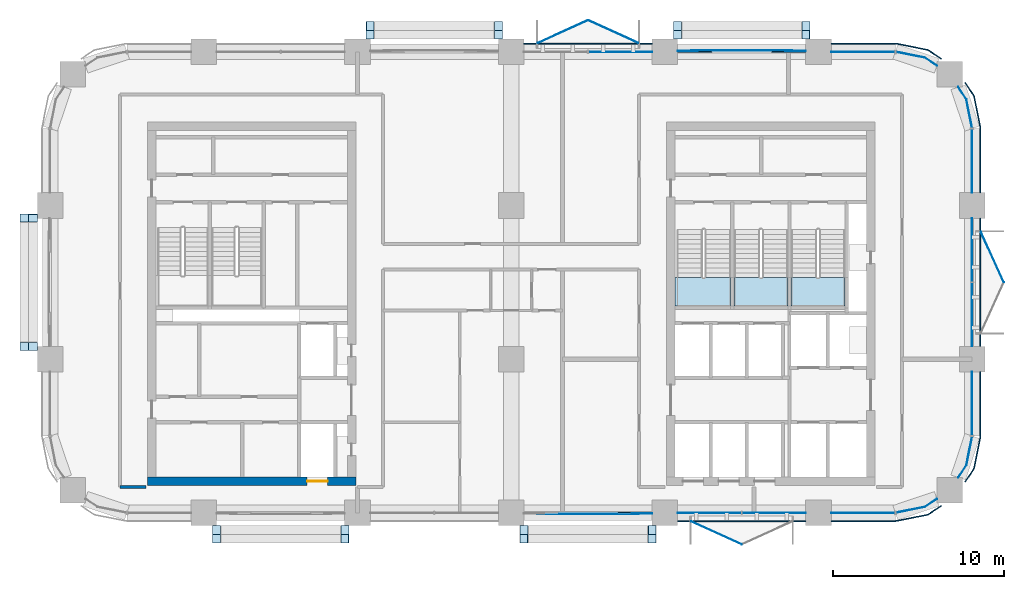
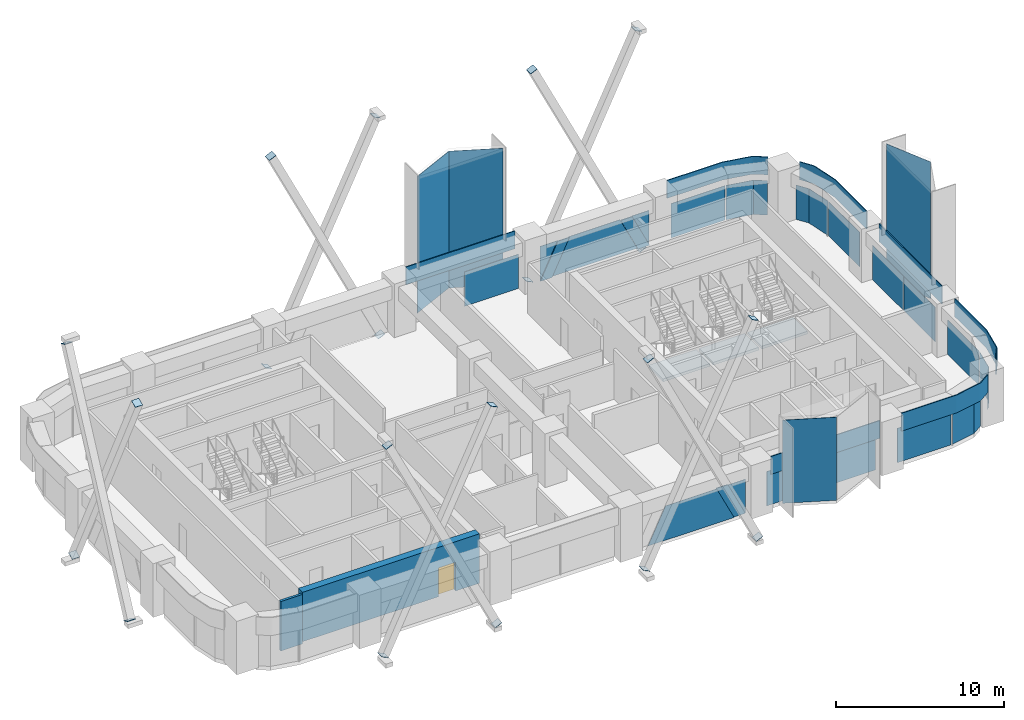
# One storey, part 8 of 14: 52 plates, 3 slabs, 2 walls, 1 door, 1 opening, 12 elements without a shape of their own.
"""IFC4 building model written with IfcOpenShell, lengths in metres."""

from ifc_helpers import new_model, si_unit, direction, frame, frame_2d, origin, origin_2d, place, context, subcontext, project, spatial, polyline, rectangle, outline, extrude, material, layer, layer_set, type_object, element, fill, aggregate, save


model = new_model("IFC4")

# Units and contexts
model_context = context("Model", 3, precision=1e-05, world=origin(), true_north=direction((0.0, 1.0)))
body_context = subcontext(model_context, "Body", "Model", "MODEL_VIEW")
ifc_project = project(units=[si_unit("LENGTHUNIT", "METRE"), si_unit("AREAUNIT", "SQUARE_METRE"), si_unit("VOLUMEUNIT", "CUBIC_METRE"), si_unit("PLANEANGLEUNIT", "RADIAN"), si_unit("MASSUNIT", "GRAM", prefix="KILO")], contexts=[model_context])

# Site, building, storey
site_placement = place(None, origin())
site = spatial("IfcSite", under=ifc_project, at=site_placement, CompositionType="ELEMENT")
building_placement = place(site_placement, origin())
building = spatial("IfcBuilding", under=site, at=building_placement, Name="Tessera Arch", CompositionType="ELEMENT")
storey_placement = place(building_placement, frame((0.0, 0.0, 150.5)))
storey = spatial("IfcBuildingStorey", under=building, at=storey_placement, Name="L35", CompositionType="ELEMENT", Elevation=150.5)

# Curtain wall, plates
ifc_material_1 = material(Name="CW1 curtain wall")
curtain_wall_type_1 = type_object("IfcCurtainWallType", Name="CW1 curtain wall", PredefinedType="NOTDEFINED", material=ifc_material_1)
curtain_wall_1_placement = place(storey_placement, origin())
curtain_wall_1 = element("IfcCurtainWall", 1, at=curtain_wall_1_placement, inside=storey, type_object=curtain_wall_type_1, Name="CW1 curtain wall E54.27/0 L35", PredefinedType="NOTDEFINED")
ifc_material_2 = material(Name="Clear low-e glass", Category="glass")
ifc_material_3 = material(Name="Clear low-e glass", Category="glass")
ifc_layer_1 = layer(ifc_material_3, 0.028076171875)
ifc_layer_set_1 = layer_set([ifc_layer_1], Name="CW1 glass panel")
plate_type_1 = type_object("IfcPlateType", Name="CW1 glass panel", PredefinedType="CURTAIN_PANEL", material=ifc_layer_set_1)
plate_1_placement = place(storey_placement, frame((54.0, 38.610107421875, 0.0), z_axis=(0.0, 0.0, 1.0), x_axis=(0.0, 1.0, 0.0)))
plate_1 = element("IfcPlate", 2, at=plate_1_placement, type_object=plate_type_1, material=ifc_material_2, Name="CW1 glass panel E54.27/0 1.1.1", PredefinedType="CURTAIN_PANEL", context=body_context, shape_type="SweptSolid", body=[
    extrude(rectangle(XDim=3.719970703125, YDim=0.028076171875, at=origin_2d()), origin(), (0.0, 0.0, 1.0), 2.5),
])
plate_2_placement = place(storey_placement, frame((54.0, 42.389892578125, 0.0), z_axis=(0.0, 0.0, 1.0), x_axis=(0.0, 1.0, 0.0)))
plate_2 = element("IfcPlate", 3, at=plate_2_placement, type_object=plate_type_1, material=ifc_material_2, Name="CW1 glass panel E54.27/0 1.2.1", PredefinedType="CURTAIN_PANEL", context=body_context, shape_type="SweptSolid", body=[
    extrude(rectangle(XDim=3.719970703125, YDim=0.028076171875, at=origin_2d()), origin(), (0.0, 0.0, 1.0), 2.5),
])

# Curtain wall, plate
curtain_wall_2_placement = place(storey_placement, origin())
curtain_wall_2 = element("IfcCurtainWall", 4, at=curtain_wall_2_placement, inside=storey, type_object=curtain_wall_type_1, Name="CW1 curtain wall N54.0/2 L35", PredefinedType="NOTDEFINED")
plate_3_placement = place(storey_placement, frame((33.389892578125, 54.0, 0.0), z_axis=(0.0, 0.0, 1.0), x_axis=(-1.0, 0.0, 0.0)))
plate_3 = element("IfcPlate", 5, at=plate_3_placement, type_object=plate_type_1, material=ifc_material_2, Name="CW1 glass panel N54.0/2 1.1.1", PredefinedType="CURTAIN_PANEL", context=body_context, shape_type="SweptSolid", body=[
    extrude(rectangle(XDim=3.719970703125, YDim=0.028076171875, at=origin_2d()), origin(), (0.0, 0.0, 1.0), 2.5),
])

# Curtain wall, plates
curtain_wall_3_placement = place(storey_placement, origin())
curtain_wall_3 = element("IfcCurtainWall", 6, at=curtain_wall_3_placement, inside=storey, type_object=curtain_wall_type_1, Name="CW1 curtain wall S27.0/4 L35", PredefinedType="NOTDEFINED")
plate_4_placement = place(storey_placement, frame((38.610107421875, 27.0, 0.0), z_axis=(0.0, 0.0, 1.0), x_axis=(1.0, 0.0, 0.0)))
plate_4 = element("IfcPlate", 7, at=plate_4_placement, type_object=plate_type_1, material=ifc_material_2, Name="CW1 glass panel S27.0/4 1.1.1", PredefinedType="CURTAIN_PANEL", context=body_context, shape_type="SweptSolid", body=[
    extrude(rectangle(XDim=3.719970703125, YDim=0.028076171875, at=origin_2d()), origin(), (0.0, 0.0, 1.0), 2.5),
])
plate_5_placement = place(storey_placement, frame((42.389892578125, 27.0, 0.0), z_axis=(0.0, 0.0, 1.0), x_axis=(1.0, 0.0, 0.0)))
plate_5 = element("IfcPlate", 8, at=plate_5_placement, type_object=plate_type_1, material=ifc_material_2, Name="CW1 glass panel S27.0/4 1.2.1", PredefinedType="CURTAIN_PANEL", context=body_context, shape_type="SweptSolid", body=[
    extrude(rectangle(XDim=3.719970703125, YDim=0.028076171875, at=origin_2d()), origin(), (0.0, 0.0, 1.0), 2.5),
])

# Plate
ifc_material_4 = material(Name="Pale anodised aluminium panel", Category="aluminium")
ifc_layer_2 = layer(ifc_material_4, 0.06005859375)
ifc_layer_set_2 = layer_set([ifc_layer_2], Name="CW1 spandrel panel")
plate_type_2 = type_object("IfcPlateType", Name="CW1 spandrel panel", PredefinedType="CURTAIN_PANEL", material=ifc_layer_set_2)
plate_6_placement = place(storey_placement, frame((54.47998046875, 40.5, 2.60009765625), z_axis=(0.0, 0.0, 1.0), x_axis=(0.0, 1.0, 0.0)))
plate_6 = element("IfcPlate", 9, at=plate_6_placement, type_object=plate_type_2, Name="CW1 spandrel panel E54.27/0", PredefinedType="CURTAIN_PANEL", context=body_context, shape_type="SweptSolid", body=[
    extrude(rectangle(XDim=7.5, YDim=0.06005859375, at=origin_2d()), origin(), (0.0, 0.0, 1.0), 1.300048828125),
])

aggregate(curtain_wall_1, [plate_1, plate_2, plate_6])

plate_7_placement = place(storey_placement, frame((31.5, 54.47998046875, 2.60009765625), z_axis=(0.0, 0.0, 1.0), x_axis=(-1.0, 0.0, 0.0)))
plate_7 = element("IfcPlate", 10, at=plate_7_placement, type_object=plate_type_2, Name="CW1 spandrel panel N54.0/2", PredefinedType="CURTAIN_PANEL", context=body_context, shape_type="SweptSolid", body=[
    extrude(rectangle(XDim=7.5, YDim=0.06005859375, at=origin_2d()), origin(), (0.0, 0.0, 1.0), 1.300048828125),
])

aggregate(curtain_wall_2, [plate_3, plate_7])

plate_8_placement = place(storey_placement, frame((40.5, 26.52001953125, 2.60009765625), z_axis=(0.0, 0.0, 1.0), x_axis=(1.0, 0.0, 0.0)))
plate_8 = element("IfcPlate", 11, at=plate_8_placement, type_object=plate_type_2, Name="CW1 spandrel panel S27.0/4", PredefinedType="CURTAIN_PANEL", context=body_context, shape_type="SweptSolid", body=[
    extrude(rectangle(XDim=7.5, YDim=0.06005859375, at=origin_2d()), origin(), (0.0, 0.0, 1.0), 1.300048828125),
])

aggregate(curtain_wall_3, [plate_4, plate_5, plate_8])

# Curtain wall, plates
ifc_material_5 = material(Name="CW2 curtain wall")
curtain_wall_type_2 = type_object("IfcCurtainWallType", Name="CW2 curtain wall", PredefinedType="NOTDEFINED", material=ifc_material_5)
curtain_wall_4_placement = place(storey_placement, origin())
curtain_wall_4 = element("IfcCurtainWall", 12, at=curtain_wall_4_placement, inside=storey, type_object=curtain_wall_type_2, Name="CW2 curtain wall E54.27/1 L35", PredefinedType="NOTDEFINED")
ifc_material_6 = material(Name="Clear low-e glass", Category="glass")
ifc_layer_3 = layer(ifc_material_6, 0.028076171875)
ifc_layer_set_3 = layer_set([ifc_layer_3], Name="CW2 glass panel")
plate_type_3 = type_object("IfcPlateType", Name="CW2 glass panel", PredefinedType="CURTAIN_PANEL", material=ifc_layer_set_3)
plate_9_placement = place(storey_placement, frame((54.0, 47.60498046875, 0.0), z_axis=(0.0, 0.0, 1.0), x_axis=(0.0, 1.0, 0.0)))
plate_9 = element("IfcPlate", 13, at=plate_9_placement, type_object=plate_type_3, material=ifc_material_2, Name="CW2 glass panel E54.27/1 1.1", PredefinedType="CURTAIN_PANEL", context=body_context, shape_type="SweptSolid", body=[
    extrude(rectangle(XDim=3.7099609375, YDim=0.028076171875, at=origin_2d()), origin(), (0.0, 0.0, 1.0), 2.5),
])
plate_10_placement = place(storey_placement, origin())
plate_10 = element("IfcPlate", 14, at=plate_10_placement, type_object=plate_type_3, material=ifc_material_2, Name="CW2 curved glass panel E54.27/1 2.1", PredefinedType="CURTAIN_PANEL", context=body_context, shape_type="SweptSolid", body=[
    extrude(outline(polyline([(53.644287109375, 51.216552734375), (53.978515625, 49.53662109375), (54.005859375, 49.5419921875), (53.670654296875, 51.2275390625), (53.19482421875, 51.939697265625), (53.17138671875, 51.92431640625), (53.644287109375, 51.216552734375)])), origin(), (0.0, 0.0, 1.0), 2.5),
])

curtain_wall_5_placement = place(storey_placement, origin())
curtain_wall_5 = element("IfcCurtainWall", 15, at=curtain_wall_5_placement, inside=storey, type_object=curtain_wall_type_2, Name="CW2 curtain wall N54.0/0 L35", PredefinedType="NOTDEFINED")
plate_11_placement = place(storey_placement, frame((47.60498046875, 54.0, 0.0), z_axis=(0.0, 0.0, 1.0), x_axis=(-1.0, 0.0, 0.0)))
plate_11 = element("IfcPlate", 16, at=plate_11_placement, type_object=plate_type_3, material=ifc_material_2, Name="CW2 glass panel N54.0/0 1.1", PredefinedType="CURTAIN_PANEL", context=body_context, shape_type="SweptSolid", body=[
    extrude(rectangle(XDim=3.7099609375, YDim=0.028076171875, at=origin_2d()), origin(), (0.0, 0.0, 1.0), 2.5),
])
plate_12_placement = place(storey_placement, origin())
plate_12 = element("IfcPlate", 17, at=plate_12_placement, type_object=plate_type_3, material=ifc_material_2, Name="CW2 curved glass panel N54.0/0 2.1", PredefinedType="CURTAIN_PANEL", context=body_context, shape_type="SweptSolid", body=[
    extrude(outline(polyline([(51.216552734375, 53.644287109375), (51.92431640625, 53.17138671875), (51.939697265625, 53.19482421875), (51.2275390625, 53.670654296875), (49.5419921875, 54.005859375), (49.53662109375, 53.978515625), (51.216552734375, 53.644287109375)])), origin(), (0.0, 0.0, 1.0), 2.5),
])

curtain_wall_6_placement = place(storey_placement, origin())
curtain_wall_6 = element("IfcCurtainWall", 18, at=curtain_wall_6_placement, inside=storey, type_object=curtain_wall_type_2, Name="CW2 curtain wall S27.0/5 L35", PredefinedType="NOTDEFINED")
plate_13_placement = place(storey_placement, frame((47.60498046875, 27.0, 0.0), z_axis=(0.0, 0.0, 1.0), x_axis=(1.0, 0.0, 0.0)))
plate_13 = element("IfcPlate", 19, at=plate_13_placement, type_object=plate_type_3, material=ifc_material_2, Name="CW2 glass panel S27.0/5 1.1", PredefinedType="CURTAIN_PANEL", context=body_context, shape_type="SweptSolid", body=[
    extrude(rectangle(XDim=3.7099609375, YDim=0.028076171875, at=origin_2d()), origin(), (0.0, 0.0, 1.0), 2.5),
])
plate_14_placement = place(storey_placement, origin())
plate_14 = element("IfcPlate", 20, at=plate_14_placement, type_object=plate_type_3, material=ifc_material_2, Name="CW2 curved glass panel S27.0/5 2.1", PredefinedType="CURTAIN_PANEL", context=body_context, shape_type="SweptSolid", body=[
    extrude(outline(polyline([(51.216552734375, 27.355712890625), (49.53662109375, 27.021484375), (49.5419921875, 26.994140625), (51.2275390625, 27.329345703125), (51.939697265625, 27.80517578125), (51.92431640625, 27.82861328125), (51.216552734375, 27.355712890625)])), origin(), (0.0, 0.0, 1.0), 2.5),
])

curtain_wall_7_placement = place(storey_placement, origin())
curtain_wall_7 = element("IfcCurtainWall", 21, at=curtain_wall_7_placement, inside=storey, type_object=curtain_wall_type_2, Name="CW2 curtain wall E54.27/2 L35", PredefinedType="NOTDEFINED")
plate_15_placement = place(storey_placement, frame((54.0, 33.39501953125, 0.0), z_axis=(0.0, 0.0, 1.0), x_axis=(0.0, 1.0, 0.0)))
plate_15 = element("IfcPlate", 22, at=plate_15_placement, type_object=plate_type_3, material=ifc_material_2, Name="CW2 glass panel E54.27/2 1.1", PredefinedType="CURTAIN_PANEL", context=body_context, shape_type="SweptSolid", body=[
    extrude(rectangle(XDim=3.7099609375, YDim=0.028076171875, at=origin_2d()), origin(), (0.0, 0.0, 1.0), 2.5),
])
plate_16_placement = place(storey_placement, origin())
plate_16 = element("IfcPlate", 23, at=plate_16_placement, type_object=plate_type_3, material=ifc_material_2, Name="CW2 curved glass panel E54.27/2 2.1", PredefinedType="CURTAIN_PANEL", context=body_context, shape_type="SweptSolid", body=[
    extrude(outline(polyline([(53.644287109375, 29.783447265625), (53.17138671875, 29.07568359375), (53.19482421875, 29.060302734375), (53.670654296875, 29.7724609375), (54.005859375, 31.4580078125), (53.978515625, 31.46337890625), (53.644287109375, 29.783447265625)])), origin(), (0.0, 0.0, 1.0), 2.5),
])

# Plate
ifc_material_7 = material(Name="Pale anodised aluminium panel", Category="aluminium")
ifc_layer_4 = layer(ifc_material_7, 0.06005859375)
ifc_layer_set_4 = layer_set([ifc_layer_4], Name="CW2 spandrel panel")
plate_type_4 = type_object("IfcPlateType", Name="CW2 spandrel panel", PredefinedType="CURTAIN_PANEL", material=ifc_layer_set_4)
plate_17_placement = place(storey_placement, frame((0.0, 0.0, 2.60009765625)))
plate_17 = element("IfcPlate", 24, at=plate_17_placement, type_object=plate_type_4, Name="CW2 spandrel panel E54.27/1", PredefinedType="CURTAIN_PANEL", context=body_context, shape_type="SweptSolid", body=[
    extrude(outline(polyline([(54.449951171875, 49.499267578125), (54.449951171875, 45.75), (54.510009765625, 45.75), (54.510009765625, 49.500732421875), (54.507568359375, 49.550048828125), (54.500244140625, 49.598876953125), (54.157470703125, 51.322265625), (54.1455078125, 51.3701171875), (54.128662109375, 51.417236328125), (54.107421875, 51.462646484375), (54.08203125, 51.5048828125), (53.607177734375, 52.21533203125), (53.55712890625, 52.18212890625), (54.03125, 51.47265625), (54.054443359375, 51.434326171875), (54.0732421875, 51.394287109375), (54.088134765625, 51.352783203125), (54.09912109375, 51.30908203125), (54.441162109375, 49.588623046875), (54.44775390625, 49.544189453125), (54.449951171875, 49.499267578125)])), origin(), (0.0, 0.0, 1.0), 1.2998046875),
])

aggregate(curtain_wall_4, [plate_9, plate_10, plate_17])

plate_18_placement = place(storey_placement, frame((0.0, 0.0, 2.60009765625)))
plate_18 = element("IfcPlate", 25, at=plate_18_placement, type_object=plate_type_4, Name="CW2 spandrel panel N54.0/0", PredefinedType="CURTAIN_PANEL", context=body_context, shape_type="SweptSolid", body=[
    extrude(outline(polyline([(51.47265625, 54.03125), (52.18212890625, 53.55712890625), (52.21533203125, 53.607177734375), (51.5048828125, 54.08203125), (51.462646484375, 54.107421875), (51.417236328125, 54.128662109375), (51.3701171875, 54.1455078125), (51.322265625, 54.157470703125), (49.598876953125, 54.500244140625), (49.550048828125, 54.507568359375), (49.500732421875, 54.510009765625), (45.75, 54.510009765625), (45.75, 54.449951171875), (49.499267578125, 54.449951171875), (49.544189453125, 54.44775390625), (49.588623046875, 54.441162109375), (51.30908203125, 54.09912109375), (51.352783203125, 54.088134765625), (51.394287109375, 54.0732421875), (51.434326171875, 54.054443359375), (51.47265625, 54.03125)])), origin(), (0.0, 0.0, 1.0), 1.2998046875),
])

aggregate(curtain_wall_5, [plate_11, plate_12, plate_18])

plate_19_placement = place(storey_placement, frame((0.0, 0.0, 2.60009765625)))
plate_19 = element("IfcPlate", 26, at=plate_19_placement, type_object=plate_type_4, Name="CW2 spandrel panel S27.0/5", PredefinedType="CURTAIN_PANEL", context=body_context, shape_type="SweptSolid", body=[
    extrude(outline(polyline([(49.499267578125, 26.550048828125), (45.75, 26.550048828125), (45.75, 26.489990234375), (49.500732421875, 26.489990234375), (49.550048828125, 26.492431640625), (49.598876953125, 26.499755859375), (51.322265625, 26.842529296875), (51.3701171875, 26.8544921875), (51.417236328125, 26.871337890625), (51.462646484375, 26.892578125), (51.5048828125, 26.91796875), (52.21533203125, 27.392822265625), (52.18212890625, 27.44287109375), (51.47265625, 26.96875), (51.434326171875, 26.945556640625), (51.394287109375, 26.9267578125), (51.352783203125, 26.911865234375), (51.30908203125, 26.90087890625), (49.588623046875, 26.558837890625), (49.544189453125, 26.55224609375), (49.499267578125, 26.550048828125)])), origin(), (0.0, 0.0, 1.0), 1.2998046875),
])

aggregate(curtain_wall_6, [plate_13, plate_14, plate_19])

plate_20_placement = place(storey_placement, frame((0.0, 0.0, 2.60009765625)))
plate_20 = element("IfcPlate", 27, at=plate_20_placement, type_object=plate_type_4, Name="CW2 spandrel panel E54.27/2", PredefinedType="CURTAIN_PANEL", context=body_context, shape_type="SweptSolid", body=[
    extrude(outline(polyline([(54.03125, 29.52734375), (53.55712890625, 28.81787109375), (53.607177734375, 28.78466796875), (54.08203125, 29.4951171875), (54.107421875, 29.537353515625), (54.128662109375, 29.582763671875), (54.1455078125, 29.6298828125), (54.157470703125, 29.677734375), (54.500244140625, 31.401123046875), (54.507568359375, 31.449951171875), (54.510009765625, 31.499267578125), (54.510009765625, 35.25), (54.449951171875, 35.25), (54.449951171875, 31.500732421875), (54.44775390625, 31.455810546875), (54.441162109375, 31.411376953125), (54.09912109375, 29.69091796875), (54.088134765625, 29.647216796875), (54.0732421875, 29.605712890625), (54.054443359375, 29.565673828125), (54.03125, 29.52734375)])), origin(), (0.0, 0.0, 1.0), 1.2998046875),
])

aggregate(curtain_wall_7, [plate_15, plate_16, plate_20])

# Curtain wall, plates
ifc_material_8 = material(Name="CW3 curtain wall")
curtain_wall_type_3 = type_object("IfcCurtainWallType", Name="CW3 curtain wall", PredefinedType="NOTDEFINED", material=ifc_material_8)
curtain_wall_8_placement = place(storey_placement, origin())
curtain_wall_8 = element("IfcCurtainWall", 28, at=curtain_wall_8_placement, inside=storey, type_object=curtain_wall_type_3, Name="CW3 curtain wall N54.0/1 L35", PredefinedType="NOTDEFINED")
ifc_material_9 = material(Name="Pale anodised aluminium panel", Category="aluminium")
ifc_layer_5 = layer(ifc_material_9, 0.06005859375)
ifc_layer_set_5 = layer_set([ifc_layer_5], Name="CW3 diagonal panel")
plate_type_5 = type_object("IfcPlateType", Name="CW3 diagonal panel", PredefinedType="CURTAIN_PANEL", material=ifc_layer_set_5)
plate_21_placement = place(storey_placement, frame((36.75, 54.030029296875, 0.0), z_axis=(0.0, 1.0, 0.0), x_axis=(0.0, 0.0, 1.0)))
plate_21 = element("IfcPlate", 29, at=plate_21_placement, type_object=plate_type_5, Name="CW3 diagonal panel N54.0/1 1", PredefinedType="CURTAIN_PANEL", context=body_context, shape_type="SweptSolid", body=[
    extrude(outline(polyline([(0.0, 0.0), (0.032470703125, 0.0), (2.5, 1.186279296875), (2.5, 1.98681640625), (0.0, 0.784912109375), (0.0, 0.0)])), origin(), (0.0, 0.0, -1.0), 0.06005859375),
])
plate_22_placement = place(storey_placement, frame((42.26318359375, 54.030029296875, 2.5), z_axis=(0.0, 1.0, 0.0), x_axis=(1.0, 0.0, 0.0)))
plate_22 = element("IfcPlate", 30, at=plate_22_placement, type_object=plate_type_5, Name="CW3 diagonal panel N54.0/1 2", PredefinedType="CURTAIN_PANEL", context=body_context, shape_type="SweptSolid", body=[
    extrude(outline(polyline([(0.0, 0.0), (0.800537109375, 0.0), (1.98681640625, 2.467529296875), (1.98681640625, 2.5), (1.201904296875, 2.5), (0.0, 0.0)])), origin(), (0.0, 0.0, -1.0), 0.06005859375),
])

# Curtain wall, plate
curtain_wall_9_placement = place(storey_placement, origin())
curtain_wall_9 = element("IfcCurtainWall", 31, at=curtain_wall_9_placement, inside=storey, type_object=curtain_wall_type_3, Name="CW3 curtain wall S27.0/3 L35", PredefinedType="NOTDEFINED")
plate_23_placement = place(storey_placement, frame((35.25, 26.969970703125, 0.0), z_axis=(0.0, -1.0, 0.0), x_axis=(0.0, 0.0, 1.0)))
plate_23 = element("IfcPlate", 32, at=plate_23_placement, type_object=plate_type_5, Name="CW3 diagonal panel S27.0/3 1", PredefinedType="CURTAIN_PANEL", context=body_context, shape_type="SweptSolid", body=[
    extrude(outline(polyline([(0.0, 0.0), (0.032470703125, 0.0), (2.5, 1.186279296875), (2.5, 1.98681640625), (0.0, 0.784912109375), (0.0, 0.0)])), origin(), (0.0, 0.0, -1.0), 0.06005859375),
])

# Plate
ifc_material_10 = material(Name="Clear low-e glass", Category="glass")
ifc_layer_6 = layer(ifc_material_10, 0.028076171875)
ifc_layer_set_6 = layer_set([ifc_layer_6], Name="CW3 glass panel")
plate_type_6 = type_object("IfcPlateType", Name="CW3 glass panel", PredefinedType="CURTAIN_PANEL", material=ifc_layer_set_6)
plate_24_placement = place(storey_placement, frame((44.25, 54.05810546875, 2.5), z_axis=(0.0, 1.0, 0.0), x_axis=(0.0, 0.0, -1.0)))
plate_24 = element("IfcPlate", 33, at=plate_24_placement, type_object=plate_type_6, material=ifc_material_2, Name="CW3 triangulated glass panel N54.0/1 1", PredefinedType="CURTAIN_PANEL", context=body_context, shape_type="SweptSolid", body=[
    extrude(outline(polyline([(0.0, 0.0), (2.467529296875, 0.0), (0.0, 1.186279296875), (0.0, 0.0)])), origin(), (0.0, 0.0, -1.0), 0.028076171875),
])

plate_25_placement = place(storey_placement, frame((38.73681640625, 54.0859375, 2.5), z_axis=(0.0, 1.0, 0.0), x_axis=(1.0, 0.0, 0.0)))
plate_25 = element("IfcPlate", 34, at=plate_25_placement, type_object=plate_type_6, material=ifc_material_2, Name="CW3 triangulated glass panel N54.0/1 2", PredefinedType="CURTAIN_PANEL", context=body_context, shape_type="SweptSolid", body=[
    extrude(outline(polyline([(0.0, 0.0), (3.5263671875, 0.0), (4.728271484375, 2.5), (-1.201904296875, 2.5), (0.0, 0.0)])), origin(), (0.0, 0.0, -1.0), 0.028076171875),
])

plate_26_placement = place(storey_placement, frame((36.75, 54.05810546875, 2.5), z_axis=(0.0, 1.0, 0.0), x_axis=(1.0, 0.0, 0.0)))
plate_26 = element("IfcPlate", 35, at=plate_26_placement, type_object=plate_type_6, material=ifc_material_2, Name="CW3 triangulated glass panel N54.0/1 3", PredefinedType="CURTAIN_PANEL", context=body_context, shape_type="SweptSolid", body=[
    extrude(outline(polyline([(0.0, 0.0), (1.186279296875, 0.0), (0.0, 2.467529296875), (0.0, 0.0)])), origin(), (0.0, 0.0, -1.0), 0.028076171875),
])

aggregate(curtain_wall_8, [plate_24, plate_25, plate_26, plate_21, plate_22])

plate_27_placement = place(storey_placement, frame((33.26318359375, 26.9140625, 2.5), z_axis=(0.0, -1.0, 0.0), x_axis=(-1.0, 0.0, 0.0)))
plate_27 = element("IfcPlate", 36, at=plate_27_placement, type_object=plate_type_6, material=ifc_material_2, Name="CW3 triangulated glass panel S27.0/3 2", PredefinedType="CURTAIN_PANEL", context=body_context, shape_type="SweptSolid", body=[
    extrude(outline(polyline([(0.0, 0.0), (3.5263671875, 0.0), (4.728271484375, 2.5), (-1.201904296875, 2.5), (0.0, 0.0)])), origin(), (0.0, 0.0, -1.0), 0.028076171875),
])

plate_28_placement = place(storey_placement, frame((35.25, 26.94189453125, 2.5), z_axis=(0.0, -1.0, 0.0), x_axis=(-1.0, 0.0, 0.0)))
plate_28 = element("IfcPlate", 37, at=plate_28_placement, type_object=plate_type_6, material=ifc_material_2, Name="CW3 triangulated glass panel S27.0/3 3", PredefinedType="CURTAIN_PANEL", context=body_context, shape_type="SweptSolid", body=[
    extrude(outline(polyline([(0.0, 0.0), (1.186279296875, 0.0), (0.0, 2.467529296875), (0.0, 0.0)])), origin(), (0.0, 0.0, -1.0), 0.028076171875),
])

aggregate(curtain_wall_9, [plate_27, plate_28, plate_23])

# Plates
ifc_material_11 = material(Name="Steel A572 Gr50", Category="steel")
ifc_layer_7 = layer(ifc_material_11, 0.02490234375)
ifc_layer_set_7 = layer_set([ifc_layer_7], Name="End plate HSS20x20x5/8")
plate_type_7 = type_object("IfcPlateType", Name="End plate HSS20x20x5/8", PredefinedType="SHEET", material=ifc_layer_set_7)
for number, where, z_axis, x_axis, name in (
    (38, (44.2607421875, 55.00390625, -0.822509765625), (-0.431455497304, 0.0, 0.902134221636), (0.0, -1.0, 0.0), "End plate HSS20x20x5/8 N54.0-1 A1 L35"),
    (39, (36.75, 55.00390625, 14.800048828125), (-0.431455497304, 0.0, 0.902134221636), (0.0, -1.0, 0.0), "End plate HSS20x20x5/8 N54.0-1 A2 L35"),
    (40, (36.7392578125, 55.511962890625, -0.822509765625), (0.431455497304, 0.0, 0.902134221636), (0.0, 1.0, 0.0), "End plate HSS20x20x5/8 N54.0-1 B1 L35"),
    (41, (44.25, 55.511962890625, 14.800048828125), (0.431455497304, 0.0, 0.902134221636), (0.0, 1.0, 0.0), "End plate HSS20x20x5/8 N54.0-1 B2 L35"),
    (42, (26.2607421875, 55.00390625, -0.822509765625), (-0.431455497304, 0.0, 0.902134221636), (0.0, -1.0, 0.0), "End plate HSS20x20x5/8 N54.0-3 A1 L35"),
    (43, (18.75, 55.00390625, 14.800048828125), (-0.431455497304, 0.0, 0.902134221636), (0.0, -1.0, 0.0), "End plate HSS20x20x5/8 N54.0-3 A2 L35"),
    (44, (18.7392578125, 55.511962890625, -0.822509765625), (0.431455497304, 0.0, 0.902134221636), (0.0, 1.0, 0.0), "End plate HSS20x20x5/8 N54.0-3 B1 L35"),
    (45, (26.25, 55.511962890625, 14.800048828125), (0.431455497304, 0.0, 0.902134221636), (0.0, 1.0, 0.0), "End plate HSS20x20x5/8 N54.0-3 B2 L35"),
    (46, (-1.00390625, 44.2607421875, -0.822509765625), (0.0, -0.431455497304, 0.902134221636), (1.0, 0.0, 0.0), "End plate HSS20x20x5/8 W0.27-1 A1 L35"),
    (47, (-1.00390625, 36.75, 14.800048828125), (0.0, -0.431455497304, 0.902134221636), (1.0, 0.0, 0.0), "End plate HSS20x20x5/8 W0.27-1 A2 L35"),
    (48, (-1.511962890625, 36.7392578125, -0.822509765625), (0.0, 0.431455497304, 0.902134221636), (-1.0, 0.0, 0.0), "End plate HSS20x20x5/8 W0.27-1 B1 L35"),
    (49, (-1.511962890625, 44.25, 14.800048828125), (0.0, 0.431455497304, 0.902134221636), (-1.0, 0.0, 0.0), "End plate HSS20x20x5/8 W0.27-1 B2 L35"),
    (50, (9.7392578125, 25.99609375, -0.822509765625), (0.431455497304, 0.0, 0.902134221636), (0.0, 1.0, 0.0), "End plate HSS20x20x5/8 S27.0-1 A1 L35"),
    (51, (17.25, 25.99609375, 14.800048828125), (0.431455497304, 0.0, 0.902134221636), (0.0, 1.0, 0.0), "End plate HSS20x20x5/8 S27.0-1 A2 L35"),
    (52, (17.2607421875, 25.488037109375, -0.822509765625), (-0.431455497304, 0.0, 0.902134221636), (0.0, -1.0, 0.0), "End plate HSS20x20x5/8 S27.0-1 B1 L35"),
    (53, (9.75, 25.488037109375, 14.800048828125), (-0.431455497304, 0.0, 0.902134221636), (0.0, -1.0, 0.0), "End plate HSS20x20x5/8 S27.0-1 B2 L35"),
    (54, (27.7392578125, 25.99609375, -0.822509765625), (0.431455497304, 0.0, 0.902134221636), (0.0, 1.0, 0.0), "End plate HSS20x20x5/8 S27.0-3 A1 L35"),
    (55, (35.25, 25.99609375, 14.800048828125), (0.431455497304, 0.0, 0.902134221636), (0.0, 1.0, 0.0), "End plate HSS20x20x5/8 S27.0-3 A2 L35"),
    (56, (35.2607421875, 25.488037109375, -0.822509765625), (-0.431455497304, 0.0, 0.902134221636), (0.0, -1.0, 0.0), "End plate HSS20x20x5/8 S27.0-3 B1 L35"),
    (57, (27.75, 25.488037109375, 14.800048828125), (-0.431455497304, 0.0, 0.902134221636), (0.0, -1.0, 0.0), "End plate HSS20x20x5/8 S27.0-3 B2 L35"),
):
    element("IfcPlate", number, at=place(storey_placement, frame(where, z_axis=z_axis, x_axis=x_axis)), inside=storey, type_object=plate_type_7, Name=name, PredefinedType="SHEET", context=body_context, shape_type="SweptSolid", body=[
        extrude(rectangle(XDim=0.508056640625, YDim=0.508056640625, at=origin_2d()), origin(), (0.0, 0.0, 1.0), 0.02490234375),
    ])

# Stair, slab
ifc_material_12 = material(Name="Concrete C40/50", Category="concrete")
stair_type = type_object("IfcStairType", Name="Dogleg stair 1520", PredefinedType="HALF_TURN_STAIR", material=ifc_material_12)
stair_1_placement = place(storey_placement, origin())
stair_1 = element("IfcStair", 58, at=stair_1_placement, inside=storey, type_object=stair_type, Name="L35 S1a", PredefinedType="HALF_TURN_STAIR")
ifc_material_13 = material(Name="Concrete C40/50", Category="concrete")
ifc_layer_8 = layer(ifc_material_13, 0.300048828125)
ifc_layer_set_8 = layer_set([ifc_layer_8], Name="Stair landing 300")
slab_type = type_object("IfcSlabType", Name="Stair landing 300", PredefinedType="LANDING", material=ifc_layer_set_8)
slab_1_placement = place(storey_placement, frame((0.0, 0.0, 1.75)))
slab_1 = element("IfcSlab", 59, at=slab_1_placement, type_object=slab_type, Name="S1a landing 1", PredefinedType="LANDING", context=body_context, shape_type="SweptSolid", body=[
    extrude(outline(polyline([(36.60009765625, 40.780029296875), (36.60009765625, 39.10009765625), (39.85009765625, 39.10009765625), (39.85009765625, 40.780029296875), (36.60009765625, 40.780029296875)])), origin(), (0.0, 0.0, 1.0), 0.199951171875),
])
aggregate(stair_1, [slab_1])

stair_2_placement = place(storey_placement, origin())
stair_2 = element("IfcStair", 60, at=stair_2_placement, inside=storey, type_object=stair_type, Name="L35 S1b", PredefinedType="HALF_TURN_STAIR")
slab_2_placement = place(storey_placement, frame((0.0, 0.0, 1.75)))
slab_2 = element("IfcSlab", 61, at=slab_2_placement, type_object=slab_type, Name="S1b landing 1", PredefinedType="LANDING", context=body_context, shape_type="SweptSolid", body=[
    extrude(outline(polyline([(40.050048828125, 40.780029296875), (40.050048828125, 39.10009765625), (43.199951171875, 39.10009765625), (43.199951171875, 40.780029296875), (40.050048828125, 40.780029296875)])), origin(), (0.0, 0.0, 1.0), 0.199951171875),
])
aggregate(stair_2, [slab_2])

stair_3_placement = place(storey_placement, origin())
stair_3 = element("IfcStair", 62, at=stair_3_placement, inside=storey, type_object=stair_type, Name="L35 S1c", PredefinedType="HALF_TURN_STAIR")
slab_3_placement = place(storey_placement, frame((0.0, 0.0, 1.75)))
slab_3 = element("IfcSlab", 63, at=slab_3_placement, type_object=slab_type, Name="S1c landing 1", PredefinedType="LANDING", context=body_context, shape_type="SweptSolid", body=[
    extrude(outline(polyline([(43.39990234375, 40.780029296875), (43.39990234375, 39.10009765625), (46.550048828125, 39.10009765625), (46.550048828125, 40.780029296875), (43.39990234375, 40.780029296875)])), origin(), (0.0, 0.0, 1.0), 0.199951171875),
])
aggregate(stair_3, [slab_3])

# Plates
ifc_material_14 = material(Name="Clear low-e glass", Category="glass")
ifc_layer_9 = layer(ifc_material_14, 0.028076171875)
ifc_layer_set_9 = layer_set([ifc_layer_9], Name="Window box glass facet")
plate_type_8 = type_object("IfcPlateType", Name="Window box glass facet", PredefinedType="SHEET", material=ifc_layer_set_9)
for number, where, z_axis, x_axis, name in (
    (64, (55.179931640625, 41.97509765625, 0.219970703125), (0.0, 0.0, 1.0), (0.413570397858, -0.910472144558, 0.0), "Window box E54.27/0.0 2x3 glass"),
    (65, (32.97509765625, 55.179931640625, 0.219970703125), (0.0, 0.0, 1.0), (-0.910472144558, 0.413570397858, 0.0), "Window box N54.0/2.0 2x3 glass"),
    (66, (30.02490234375, 55.179931640625, 0.219970703125), (0.0, 0.0, 1.0), (0.910472144558, 0.413570397858, 0.0), "Window box N54.0/2.0 2x3 glass"),
):
    element("IfcPlate", number, at=place(storey_placement, frame(where, z_axis=z_axis, x_axis=x_axis)), inside=storey, type_object=plate_type_8, Name=name, PredefinedType="SHEET", context=body_context, shape_type="SweptSolid", body=[
        extrude(rectangle(XDim=3.239990234375, YDim=0.028076171875, at=origin_2d()), origin(), (0.0, 0.0, 1.0), 9.9599609375),
    ])
plate_29_placement = place(storey_placement, frame((39.02490234375, 25.820068359375, 0.219970703125), z_axis=(0.0, 0.0, 1.0), x_axis=(0.910472144558, -0.413570397858, 0.0)))
element("IfcPlate", 67, at=plate_29_placement, inside=storey, type_object=plate_type_8, Name="Window box S27.0/4.0 2x2 glass", PredefinedType="SHEET", context=body_context, shape_type="SweptSolid", body=[
    extrude(rectangle(XDim=3.239990234375, YDim=0.028076171875, at=origin_2d()), origin(), (0.0, 0.0, 1.0), 6.06005859375),
])

# Wall, opening, door
ifc_material_15 = material(Name="Concrete C60/75", Category="concrete")
ifc_layer_10 = layer(ifc_material_15, 0.5)
ifc_layer_set_10 = layer_set([ifc_layer_10], Name="Core shell wall 500 C60-75")
wall_type_1 = type_object("IfcWallType", Name="Core shell wall 500 C60-75", PredefinedType="SHEAR", material=ifc_layer_set_10)
wall_1_placement = place(storey_placement, frame((5.699951171875, 28.85009765625, 0.0), z_axis=(0.0, 0.0, 1.0), x_axis=(1.0, 0.0, 0.0)))
wall_1 = element("IfcWall", 68, at=wall_1_placement, inside=storey, type_object=wall_type_1, Name="L35 C2 core wall S", PredefinedType="SHEAR", context=body_context, shape_type="SweptSolid", body=[
    extrude(rectangle(XDim=12.199951171875, YDim=0.5, at=frame_2d((6.10009765625, 0.0))), origin(), (0.0, 0.0, 1.0), 3.60009765625),
])
opening_placement = place(wall_1_placement, frame((9.35009765625, 0.0, 0.0)))
opening = element("IfcOpeningElement", 69, at=opening_placement, cuts=wall_1, Name="Opening L35-C20", PredefinedType="OPENING", context=body_context, shape_type="SweptSolid", body=[
    extrude(rectangle(XDim=1.199951171875, YDim=2.10009765625, at=frame_2d((0.60009765625, 1.050048828125))), frame((0.0, 0.260009765625, 0.0), z_axis=(0.0, -1.0, 0.0), x_axis=(1.0, 0.0, 0.0)), (0.0, 0.0, 1.0), 0.52001953125),
])
ifc_material_16 = material(Name="Stainless steel AISI 304", Category="steel")
door_type = type_object("IfcDoorType", Name="Sliding landing door 1200 x 2100", OperationType="SLIDING_TO_LEFT", PredefinedType="DOOR", material=ifc_material_16)
door_placement = place(opening_placement, origin())
door = element("IfcDoor", 70, at=door_placement, inside=storey, type_object=door_type, Name="L35 HR7 lift landing door C20 type LD", OperationType="SLIDING_TO_LEFT", OverallHeight=2.10009765625, OverallWidth=1.199951171875, PredefinedType="DOOR", context=body_context, shape_type="SweptSolid", body=[
    extrude(rectangle(XDim=1.199951171875, YDim=2.10009765625, at=frame_2d((0.60009765625, 1.050048828125))), frame((0.0, 0.02490234375, 0.0), z_axis=(0.0, -1.0, 0.0), x_axis=(1.0, 0.0, 0.0)), (0.0, 0.0, 1.0), 0.050048828125),
])
fill(opening, door)

# Wall
ifc_material_17 = material(Name="Gypsum board on deep steel stud with mineral wool", Category="steel")
ifc_layer_11 = layer(ifc_material_17, 0.175048828125)
ifc_layer_set_11 = layer_set([ifc_layer_11], Name="Corridor wall 175 EI 60")
wall_type_2 = type_object("IfcWallType", Name="Corridor wall 175 EI 60", PredefinedType="PARTITIONING", material=ifc_layer_set_11)
wall_2_placement = place(storey_placement, frame((4.10009765625, 28.5, 0.0), z_axis=(0.0, 0.0, 1.0), x_axis=(1.0, 0.0, 0.0)))
element("IfcWall", 71, at=wall_2_placement, inside=storey, type_object=wall_type_2, Name="L35 partition 1", PredefinedType="PARTITIONING", context=body_context, shape_type="SweptSolid", body=[
    extrude(rectangle(XDim=1.5, YDim=0.175048828125, at=frame_2d((0.75, 0.0))), origin(), (0.0, 0.0, 1.0), 3.60009765625),
])

save(model, "model.ifc")
